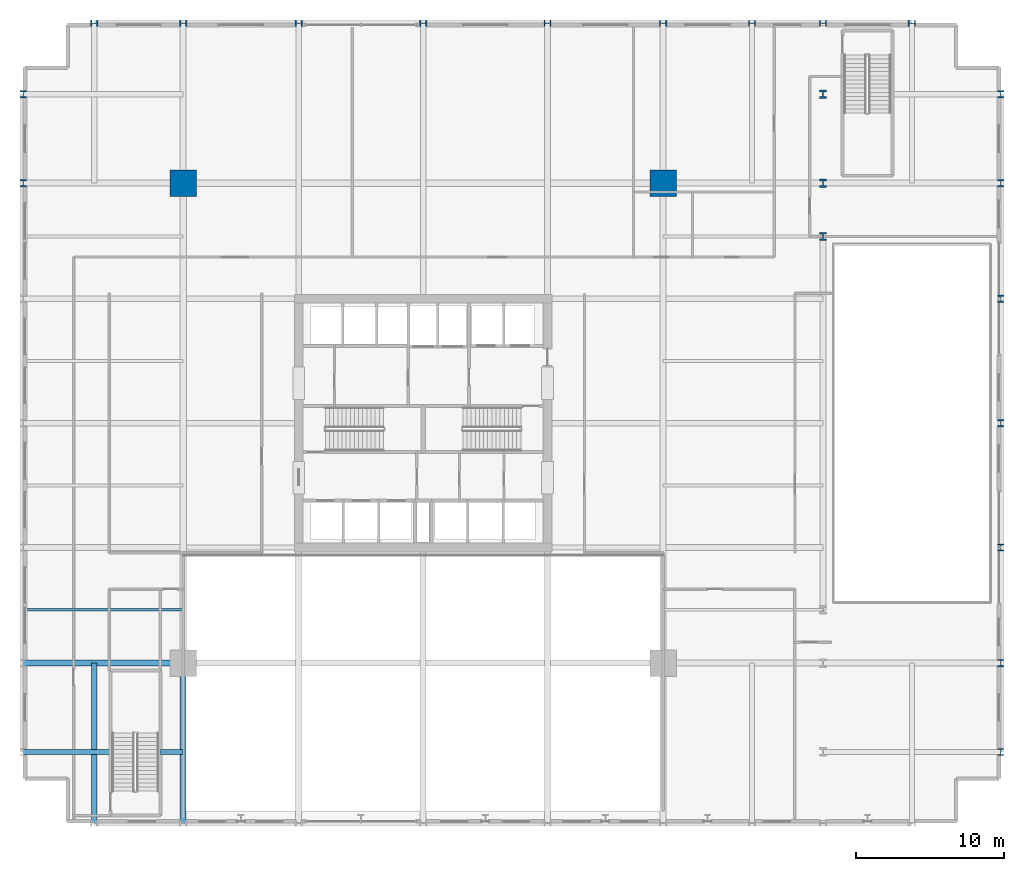
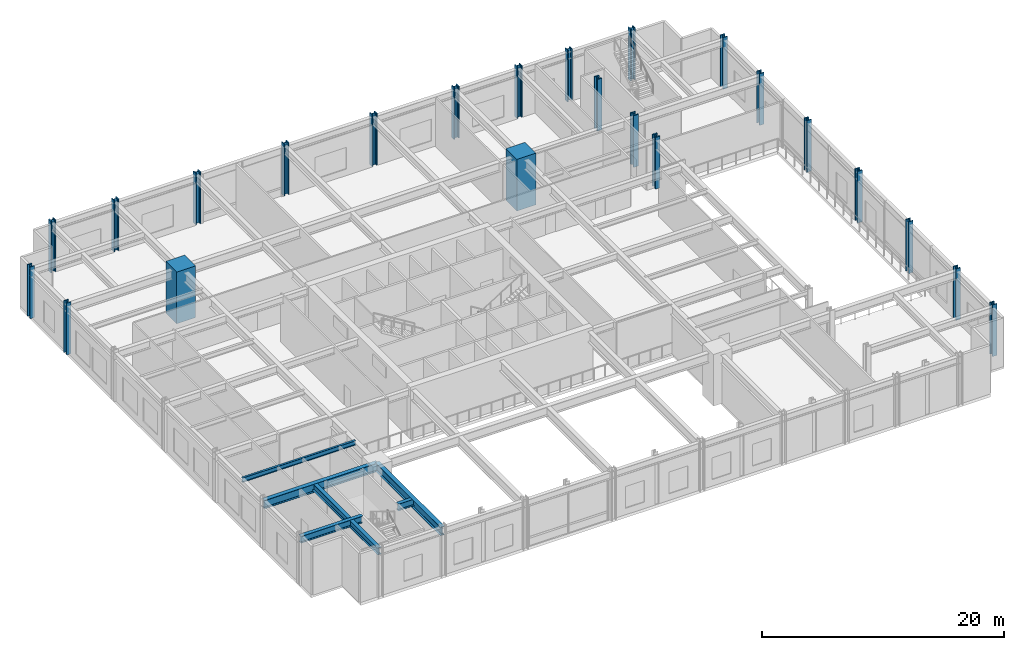
# One storey, part 2 of 19: 23 columns, 6 beams.
"""IFC4 building model written with IfcOpenShell, lengths in metres."""

from ifc_helpers import new_model, si_unit, direction, frame, origin, origin_2d, place, context, subcontext, project, spatial, rectangle, i_section, extrude, material, material_profile, profile_set, type_object, element, save


model = new_model("IFC4")

# Units and contexts
model_context = context("Model", 3, precision=1e-05, world=origin(), true_north=direction((0.0, 1.0)))
body_context = subcontext(model_context, "Body", "Model", "MODEL_VIEW")
ifc_project = project(units=[si_unit("LENGTHUNIT", "METRE"), si_unit("AREAUNIT", "SQUARE_METRE"), si_unit("VOLUMEUNIT", "CUBIC_METRE"), si_unit("PLANEANGLEUNIT", "RADIAN"), si_unit("MASSUNIT", "GRAM", prefix="KILO")], contexts=[model_context])

# Site, building, storey
site_placement = place(None, origin())
site = spatial("IfcSite", under=ifc_project, at=site_placement, CompositionType="ELEMENT")
building_placement = place(site_placement, origin())
building = spatial("IfcBuilding", under=site, at=building_placement, Name="Drelvath Grand Hotel", CompositionType="ELEMENT")
storey_placement = place(building_placement, frame((0.0, 0.0, 17.199951171875)))
storey = spatial("IfcBuildingStorey", under=building, at=storey_placement, Name="L03", CompositionType="ELEMENT", Elevation=17.199951171875)

# Columns
ifc_material_1 = material(Name="Concrete f'c 70 MPa", Category="concrete")
ifc_material_profile_1 = material_profile(ifc_material_1, rectangle(XDim=1.800048828125, YDim=1.800048828125, at=origin_2d()), Name="MC1800X1800")
ifc_profile_set_1 = profile_set([ifc_material_profile_1], Name="Concrete f'c 70 MPa")
column_type_1 = type_object("IfcColumnType", Name="Composite Mega Column MC1800X1800", PredefinedType="COLUMN", material=ifc_profile_set_1)
for number, where, z_axis, x_axis, name in (
    (1, (-16.199951171875, 43.199951171875, 0.0), (0.0, 0.0, 1.0), (1.0, 0.0, 0.0), "L03 Composite Mega Column MC-NW"),
    (2, (16.199951171875, 43.199951171875, 0.0), (0.0, 0.0, 1.0), (1.0, 0.0, 0.0), "L03 Composite Mega Column MC-NE"),
):
    element("IfcColumn", number, at=place(storey_placement, frame(where, z_axis=z_axis, x_axis=x_axis)), inside=storey, type_object=column_type_1, Name=name, PredefinedType="COLUMN", context=body_context, shape_type="SweptSolid", body=[
        extrude(rectangle(XDim=1.800048828125, YDim=1.800048828125, at=origin_2d()), origin(), (0.0, 0.0, 1.0), 5.199951171875),
    ])
ifc_material_2 = material(Name="Steel ASTM A913 Gr 65", Category="steel")
ifc_material_profile_2 = material_profile(ifc_material_2, i_section(OverallWidth=0.43212890625, OverallDepth=0.497802734375, WebThickness=0.0556640625, FlangeThickness=0.0888671875, FilletRadius=0.030029296875, at=origin_2d()), Name="W14X500")
ifc_profile_set_2 = profile_set([ifc_material_profile_2], Name="Steel ASTM A913 Gr 65")
column_type_2 = type_object("IfcColumnType", Name="Perimeter Steel Column W14X500", PredefinedType="COLUMN", material=ifc_profile_set_2)
for number, where, z_axis, x_axis, name in (
    (3, (39.0, 4.800048828125, 0.0), (0.0, 0.0, 1.0), (1.0, 0.0, 0.0), "L03 Structural Column PCE-B"),
    (4, (39.0, 10.800048828125, 0.0), (0.0, 0.0, 1.0), (1.0, 0.0, 0.0), "L03 Structural Column PCE-C"),
    (5, (39.0, 18.60009765625, 0.0), (0.0, 0.0, 1.0), (1.0, 0.0, 0.0), "L03 Structural Column PCE-D"),
    (6, (39.0, 27.0, 0.0), (0.0, 0.0, 1.0), (1.0, 0.0, 0.0), "L03 Structural Column PCE-E"),
    (7, (39.0, 35.39990234375, 0.0), (0.0, 0.0, 1.0), (1.0, 0.0, 0.0), "L03 Structural Column PCE-F"),
    (8, (-27.0, 43.199951171875, 0.0), (0.0, 0.0, 1.0), (1.0, 0.0, 0.0), "L03 Structural Column PCW-G"),
    (9, (39.0, 43.199951171875, 0.0), (0.0, 0.0, 1.0), (1.0, 0.0, 0.0), "L03 Structural Column PCE-G"),
    (10, (-27.0, 49.199951171875, 0.0), (0.0, 0.0, 1.0), (1.0, 0.0, 0.0), "L03 Structural Column PCW-H"),
    (11, (39.0, 49.199951171875, 0.0), (0.0, 0.0, 1.0), (1.0, 0.0, 0.0), "L03 Structural Column PCE-H"),
    (12, (-22.199951171875, 54.0, 0.0), (0.0, 0.0, 1.0), (0.0, 1.0, 0.0), "L03 Structural Column PCN-2"),
    (13, (-16.199951171875, 54.0, 0.0), (0.0, 0.0, 1.0), (0.0, 1.0, 0.0), "L03 Structural Column PCN-3"),
    (14, (-8.39990234375, 54.0, 0.0), (0.0, 0.0, 1.0), (0.0, 1.0, 0.0), "L03 Structural Column PCN-4"),
    (15, (0.0, 54.0, 0.0), (0.0, 0.0, 1.0), (0.0, 1.0, 0.0), "L03 Structural Column PCN-5"),
    (16, (8.39990234375, 54.0, 0.0), (0.0, 0.0, 1.0), (0.0, 1.0, 0.0), "L03 Structural Column PCN-6"),
    (17, (16.199951171875, 54.0, 0.0), (0.0, 0.0, 1.0), (0.0, 1.0, 0.0), "L03 Structural Column PCN-7"),
    (18, (22.199951171875, 54.0, 0.0), (0.0, 0.0, 1.0), (0.0, 1.0, 0.0), "L03 Structural Column PCN-8"),
    (19, (27.0, 54.0, 0.0), (0.0, 0.0, 1.0), (0.0, 1.0, 0.0), "L03 Structural Column PCN-9"),
    (20, (33.0, 54.0, 0.0), (0.0, 0.0, 1.0), (0.0, 1.0, 0.0), "L03 Structural Column PCN-10"),
):
    element("IfcColumn", number, at=place(storey_placement, frame(where, z_axis=z_axis, x_axis=x_axis)), inside=storey, type_object=column_type_2, Name=name, PredefinedType="COLUMN", context=body_context, shape_type="SweptSolid", body=[
        extrude(i_section(OverallWidth=0.43212890625, OverallDepth=0.497802734375, WebThickness=0.0556640625, FlangeThickness=0.0888671875, FilletRadius=0.030029296875, at=origin_2d()), origin(), (0.0, 0.0, 1.0), 5.199951171875),
    ])
ifc_material_profile_3 = material_profile(ifc_material_2, i_section(OverallWidth=0.454345703125, OverallDepth=0.569091796875, WebThickness=0.077880859375, FlangeThickness=0.124755859375, FilletRadius=0.030029296875, at=origin_2d()), Name="W14X730")
ifc_profile_set_3 = profile_set([ifc_material_profile_3], Name="Steel ASTM A913 Gr 65")
column_type_3 = type_object("IfcColumnType", Name="Perimeter Steel Column W14X730", PredefinedType="COLUMN", material=ifc_profile_set_3)
for number, where, z_axis, x_axis, name in (
    (21, (27.0, 39.60009765625, 0.0), (0.0, 0.0, 1.0), (1.0, 0.0, 0.0), "L03 Structural Column PCP9-AT2"),
    (22, (27.0, 43.199951171875, 0.0), (0.0, 0.0, 1.0), (1.0, 0.0, 0.0), "L03 Structural Column PCP9-G"),
    (23, (27.0, 49.199951171875, 0.0), (0.0, 0.0, 1.0), (1.0, 0.0, 0.0), "L03 Structural Column PCP9-H"),
):
    element("IfcColumn", number, at=place(storey_placement, frame(where, z_axis=z_axis, x_axis=x_axis)), inside=storey, type_object=column_type_3, Name=name, PredefinedType="COLUMN", context=body_context, shape_type="SweptSolid", body=[
        extrude(i_section(OverallWidth=0.454345703125, OverallDepth=0.569091796875, WebThickness=0.077880859375, FlangeThickness=0.124755859375, FilletRadius=0.030029296875, at=origin_2d()), origin(), (0.0, 0.0, 1.0), 5.199951171875),
    ])

# Beams
ifc_material_3 = material(Name="Steel ASTM A992 Gr 50", Category="steel")
ifc_material_profile_4 = material_profile(ifc_material_3, i_section(OverallWidth=0.19140625, OverallDepth=0.4599609375, WebThickness=0.010009765625, FlangeThickness=0.01611328125, FilletRadius=0.01611328125, at=origin_2d()), Name="W18X55")
ifc_profile_set_4 = profile_set([ifc_material_profile_4], Name="Steel ASTM A992 Gr 50")
beam_type_1 = type_object("IfcBeamType", Name="Composite Floor Joist W18X55", PredefinedType="JOIST", material=ifc_profile_set_4)
beam_1_placement = place(storey_placement, frame((-27.0, 14.39990234375, 4.670166015625), z_axis=(1.0, 0.0, 0.0), x_axis=(0.0, 1.0, 0.0)))
element("IfcBeam", 24, at=beam_1_placement, inside=storey, type_object=beam_type_1, Name="L03 West Composite Joist J3", PredefinedType="JOIST", context=body_context, shape_type="SweptSolid", body=[
    extrude(i_section(OverallWidth=0.19140625, OverallDepth=0.4599609375, WebThickness=0.010009765625, FlangeThickness=0.01611328125, FilletRadius=0.01611328125, at=origin_2d()), origin(), (0.0, 0.0, 1.0), 10.800048828125),
])
ifc_material_profile_5 = material_profile(ifc_material_3, i_section(OverallWidth=0.354736328125, OverallDepth=0.695556640625, WebThickness=0.015380859375, FlangeThickness=0.025146484375, FilletRadius=0.02392578125, at=origin_2d()), Name="W27X146")
ifc_profile_set_5 = profile_set([ifc_material_profile_5], Name="Steel ASTM A992 Gr 50")
beam_type_2 = type_object("IfcBeamType", Name="Primary Floor Girder W27X146", PredefinedType="BEAM", material=ifc_profile_set_5)
beam_2_placement = place(storey_placement, frame((-27.0, 4.800048828125, 4.55224609375), z_axis=(1.0, 0.0, 0.0), x_axis=(0.0, 1.0, 0.0)))
element("IfcBeam", 25, at=beam_2_placement, inside=storey, type_object=beam_type_2, Name="L03 West Corner Tie B1", PredefinedType="BEAM", context=body_context, shape_type="SweptSolid", body=[
    extrude(i_section(OverallWidth=0.354736328125, OverallDepth=0.695556640625, WebThickness=0.015380859375, FlangeThickness=0.025146484375, FilletRadius=0.02392578125, at=origin_2d()), origin(), (0.0, 0.0, 1.0), 5.89990234375),
])
beam_3_placement = place(storey_placement, frame((-17.739990234375, 4.800048828125, 4.55224609375), z_axis=(1.0, 0.0, 0.0), x_axis=(0.0, 1.0, 0.0)))
element("IfcBeam", 26, at=beam_3_placement, inside=storey, type_object=beam_type_2, Name="L03 West Corner Tie B2", PredefinedType="BEAM", context=body_context, shape_type="SweptSolid", body=[
    extrude(i_section(OverallWidth=0.354736328125, OverallDepth=0.695556640625, WebThickness=0.015380859375, FlangeThickness=0.025146484375, FilletRadius=0.02392578125, at=origin_2d()), origin(), (0.0, 0.0, 1.0), 1.5400390625),
])
beam_4_placement = place(storey_placement, frame((-22.199951171875, 0.0, 4.55224609375), z_axis=(0.0, 1.0, 0.0), x_axis=(-1.0, 0.0, 0.0)))
element("IfcBeam", 27, at=beam_4_placement, inside=storey, type_object=beam_type_2, Name="L03 South Corner Tie 2", PredefinedType="BEAM", context=body_context, shape_type="SweptSolid", body=[
    extrude(i_section(OverallWidth=0.354736328125, OverallDepth=0.695556640625, WebThickness=0.015380859375, FlangeThickness=0.025146484375, FilletRadius=0.02392578125, at=origin_2d()), origin(), (0.0, 0.0, 1.0), 10.800048828125),
])
ifc_material_profile_6 = material_profile(ifc_material_3, i_section(OverallWidth=0.39990234375, OverallDepth=0.85546875, WebThickness=0.018310546875, FlangeThickness=0.029296875, FilletRadius=0.02490234375, at=origin_2d()), Name="W33X201")
ifc_profile_set_6 = profile_set([ifc_material_profile_6], Name="Steel ASTM A992 Gr 50")
beam_type_3 = type_object("IfcBeamType", Name="Primary Floor Girder W33X201", PredefinedType="BEAM", material=ifc_profile_set_6)
for number, where, z_axis, x_axis, name in (
    (28, (-27.0, 10.800048828125, 4.472412109375), (1.0, 0.0, 0.0), (0.0, 1.0, 0.0), "L03 West Podium Girder C"),
    (29, (-16.199951171875, 0.0, 4.472412109375), (0.0, 1.0, 0.0), (-1.0, 0.0, 0.0), "L03 South Podium Girder 3"),
):
    element("IfcBeam", number, at=place(storey_placement, frame(where, z_axis=z_axis, x_axis=x_axis)), inside=storey, type_object=beam_type_3, Name=name, PredefinedType="BEAM", context=body_context, shape_type="SweptSolid", body=[
        extrude(i_section(OverallWidth=0.39990234375, OverallDepth=0.85546875, WebThickness=0.018310546875, FlangeThickness=0.029296875, FilletRadius=0.02490234375, at=origin_2d()), origin(), (0.0, 0.0, 1.0), 10.800048828125),
    ])

save(model, "model.ifc")
